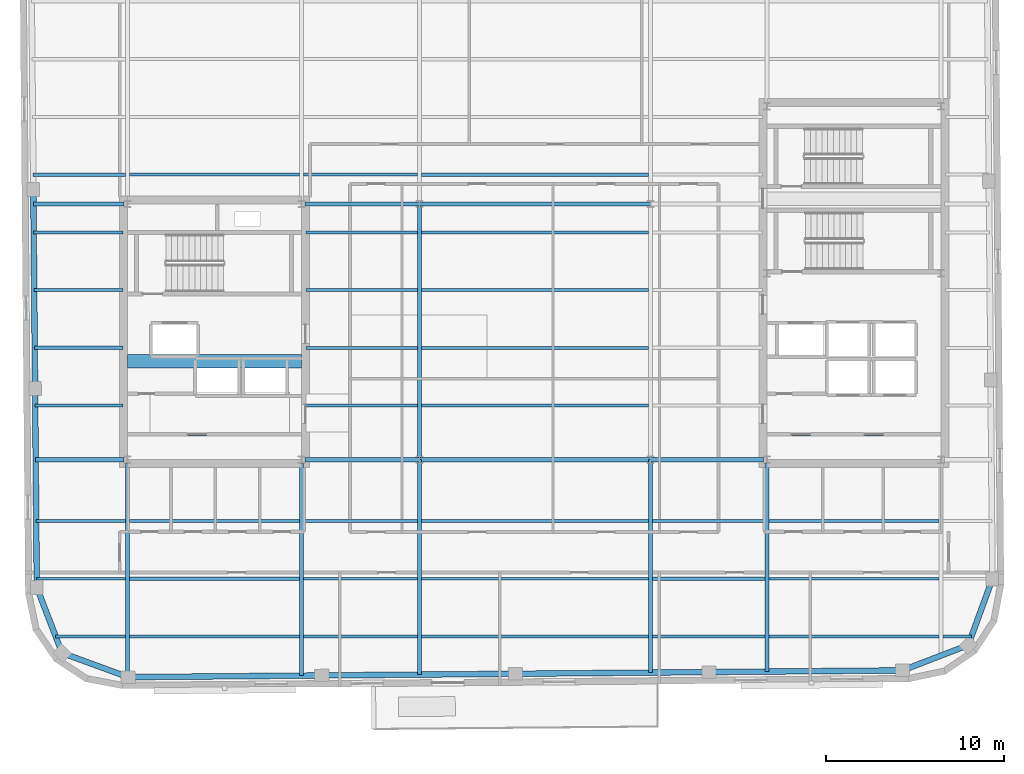
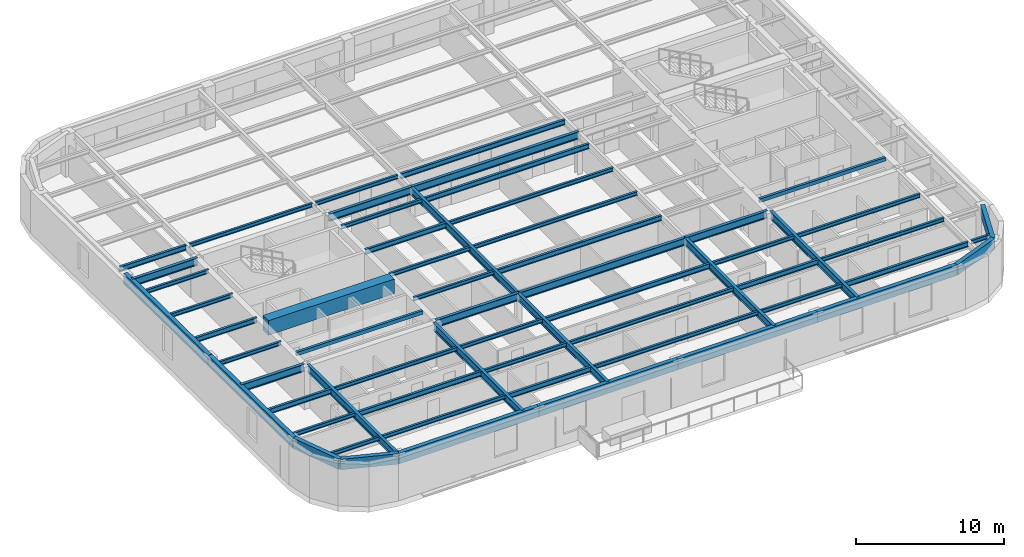
# One storey, part 4 of 14: 61 beams.
"""IFC4 building model written with IfcOpenShell, lengths in metres."""

from ifc_helpers import new_model, si_unit, direction, frame, origin, origin_2d, place, context, subcontext, project, spatial, rectangle, hollow_rectangle, i_section, extrude, material, material_profile, profile_set, type_object, element, save


model = new_model("IFC4")

# Units and contexts
model_context = context("Model", 3, precision=1e-05, world=origin(), true_north=direction((0.0, 1.0)))
body_context = subcontext(model_context, "Body", "Model", "MODEL_VIEW")
ifc_project = project(units=[si_unit("LENGTHUNIT", "METRE"), si_unit("AREAUNIT", "SQUARE_METRE"), si_unit("VOLUMEUNIT", "CUBIC_METRE"), si_unit("PLANEANGLEUNIT", "RADIAN"), si_unit("MASSUNIT", "GRAM", prefix="KILO")], contexts=[model_context])

# Site, building, storey
site_placement = place(None, origin())
site = spatial("IfcSite", under=ifc_project, at=site_placement, CompositionType="ELEMENT")
building_placement = place(site_placement, origin())
building = spatial("IfcBuilding", under=site, at=building_placement, Name="Kolvaren Arena Tower", CompositionType="ELEMENT")
storey_placement = place(building_placement, frame((0.0, 0.0, 274.89990234375)))
storey = spatial("IfcBuildingStorey", under=building, at=storey_placement, Name="L67", CompositionType="ELEMENT", Elevation=274.89990234375)

# Beams
ifc_material_1 = material(Name="Steel CSA G40.21 350W", Category="steel")
ifc_material_profile_1 = material_profile(ifc_material_1, i_section(OverallWidth=0.180908203125, OverallDepth=0.4169921875, WebThickness=0.010986328125, FlangeThickness=0.018310546875, FilletRadius=0.011962890625, at=origin_2d()), Name="W410x85")
ifc_profile_set_1 = profile_set([ifc_material_profile_1], Name="Steel CSA G40.21 350W")
beam_type_1 = type_object("IfcBeamType", Name="BEAM-F3", PredefinedType="BEAM", material=ifc_profile_set_1)
beam_1_placement = place(storey_placement, frame((24.464111328125, 9.5, 3.271484375), z_axis=(1.0, 0.0, 0.0), x_axis=(0.0, 1.0, 0.0)))
element("IfcBeam", 1, at=beam_1_placement, inside=storey, type_object=beam_type_1, Name="Composite Floor Beam (L67)", PredefinedType="BEAM", context=body_context, shape_type="SweptSolid", body=[
    extrude(i_section(OverallWidth=0.180908203125, OverallDepth=0.4169921875, WebThickness=0.010986328125, FlangeThickness=0.018310546875, FilletRadius=0.011962890625, at=origin_2d()), origin(), (0.0, 0.0, 1.0), 6.421875),
])
for number, where, z_axis, x_axis, name in (
    (2, (50.6640625, 9.5, 3.271484375), (1.0, 0.0, 0.0), (0.0, 1.0, 0.0), "Composite Floor Beam (L67)"),
    (3, (14.6640625, 12.75, 3.271484375), (1.0, 0.0, 0.0), (0.0, 1.0, 0.0), "Composite Floor Beam (L67)"),
):
    element("IfcBeam", number, at=place(storey_placement, frame(where, z_axis=z_axis, x_axis=x_axis)), inside=storey, type_object=beam_type_1, Name=name, PredefinedType="BEAM", context=body_context, shape_type="SweptSolid", body=[
        extrude(i_section(OverallWidth=0.180908203125, OverallDepth=0.4169921875, WebThickness=0.010986328125, FlangeThickness=0.018310546875, FilletRadius=0.011962890625, at=origin_2d()), origin(), (0.0, 0.0, 1.0), 9.572021484375),
    ])
beam_2_placement = place(storey_placement, frame((44.114013671875, 12.75, 3.271484375), z_axis=(1.0, 0.0, 0.0), x_axis=(0.0, 1.0, 0.0)))
element("IfcBeam", 4, at=beam_2_placement, inside=storey, type_object=beam_type_1, Name="Composite Floor Beam (L67)", PredefinedType="BEAM", context=body_context, shape_type="SweptSolid", body=[
    extrude(i_section(OverallWidth=0.180908203125, OverallDepth=0.4169921875, WebThickness=0.010986328125, FlangeThickness=0.018310546875, FilletRadius=0.011962890625, at=origin_2d()), origin(), (0.0, 0.0, 1.0), 6.322021484375),
])
beam_3_placement = place(storey_placement, frame((9.4150390625, 16.0, 3.271484375), z_axis=(1.0, 0.0, 0.0), x_axis=(0.0, 1.0, 0.0)))
element("IfcBeam", 5, at=beam_3_placement, inside=storey, type_object=beam_type_1, Name="Composite Floor Beam (L67)", PredefinedType="BEAM", context=body_context, shape_type="SweptSolid", body=[
    extrude(i_section(OverallWidth=0.180908203125, OverallDepth=0.4169921875, WebThickness=0.010986328125, FlangeThickness=0.018310546875, FilletRadius=0.011962890625, at=origin_2d()), origin(), (0.0, 0.0, 1.0), 5.02099609375),
])
for number, where, z_axis, x_axis, name in (
    (6, (31.114013671875, 16.0, 3.271484375), (1.0, 0.0, 0.0), (0.0, 1.0, 0.0), "Composite Floor Beam (L67)"),
    (7, (31.114013671875, 22.5, 3.271484375), (1.0, 0.0, 0.0), (0.0, 1.0, 0.0), "Composite Floor Beam (L67)"),
):
    element("IfcBeam", number, at=place(storey_placement, frame(where, z_axis=z_axis, x_axis=x_axis)), inside=storey, type_object=beam_type_1, Name=name, PredefinedType="BEAM", context=body_context, shape_type="SweptSolid", body=[
        extrude(i_section(OverallWidth=0.180908203125, OverallDepth=0.4169921875, WebThickness=0.010986328125, FlangeThickness=0.018310546875, FilletRadius=0.011962890625, at=origin_2d()), origin(), (0.0, 0.0, 1.0), 12.77197265625),
    ])
beam_4_placement = place(storey_placement, frame((9.330078125, 25.75, 3.271484375), z_axis=(1.0, 0.0, 0.0), x_axis=(0.0, 1.0, 0.0)))
element("IfcBeam", 8, at=beam_4_placement, inside=storey, type_object=beam_type_1, Name="Composite Floor Beam (L67)", PredefinedType="BEAM", context=body_context, shape_type="SweptSolid", body=[
    extrude(i_section(OverallWidth=0.180908203125, OverallDepth=0.4169921875, WebThickness=0.010986328125, FlangeThickness=0.018310546875, FilletRadius=0.011962890625, at=origin_2d()), origin(), (0.0, 0.0, 1.0), 4.974853515625),
])
beam_5_placement = place(storey_placement, frame((24.594970703125, 29.0, 3.271484375), z_axis=(1.0, 0.0, 0.0), x_axis=(0.0, 1.0, 0.0)))
element("IfcBeam", 9, at=beam_5_placement, inside=storey, type_object=beam_type_1, Name="Composite Floor Beam (L67)", PredefinedType="BEAM", context=body_context, shape_type="SweptSolid", body=[
    extrude(i_section(OverallWidth=0.180908203125, OverallDepth=0.4169921875, WebThickness=0.010986328125, FlangeThickness=0.018310546875, FilletRadius=0.011962890625, at=origin_2d()), origin(), (0.0, 0.0, 1.0), 6.291015625),
])
beam_6_placement = place(storey_placement, frame((31.114013671875, 32.25, 3.271484375), z_axis=(1.0, 0.0, 0.0), x_axis=(0.0, 1.0, 0.0)))
element("IfcBeam", 10, at=beam_6_placement, inside=storey, type_object=beam_type_1, Name="Composite Floor Beam (L67)", PredefinedType="BEAM", context=body_context, shape_type="SweptSolid", body=[
    extrude(i_section(OverallWidth=0.180908203125, OverallDepth=0.4169921875, WebThickness=0.010986328125, FlangeThickness=0.018310546875, FilletRadius=0.011962890625, at=origin_2d()), origin(), (0.0, 0.0, 1.0), 12.77197265625),
])
beam_7_placement = place(storey_placement, frame((9.244873046875, 35.5, 3.271484375), z_axis=(1.0, 0.0, 0.0), x_axis=(0.0, 1.0, 0.0)))
element("IfcBeam", 11, at=beam_7_placement, inside=storey, type_object=beam_type_1, Name="Composite Floor Beam (L67)", PredefinedType="BEAM", context=body_context, shape_type="SweptSolid", body=[
    extrude(i_section(OverallWidth=0.180908203125, OverallDepth=0.4169921875, WebThickness=0.010986328125, FlangeThickness=0.018310546875, FilletRadius=0.011962890625, at=origin_2d()), origin(), (0.0, 0.0, 1.0), 5.191162109375),
])
beam_8_placement = place(storey_placement, frame((31.114013671875, 35.5, 3.271484375), z_axis=(1.0, 0.0, 0.0), x_axis=(0.0, 1.0, 0.0)))
element("IfcBeam", 12, at=beam_8_placement, inside=storey, type_object=beam_type_1, Name="Composite Floor Beam (L67)", PredefinedType="BEAM", context=body_context, shape_type="SweptSolid", body=[
    extrude(i_section(OverallWidth=0.180908203125, OverallDepth=0.4169921875, WebThickness=0.010986328125, FlangeThickness=0.018310546875, FilletRadius=0.011962890625, at=origin_2d()), origin(), (0.0, 0.0, 1.0), 12.77197265625),
])
ifc_material_2 = material(Name="Concrete 60 MPa", Category="concrete")
ifc_material_profile_2 = material_profile(ifc_material_2, rectangle(XDim=0.75, YDim=1.199951171875, at=origin_2d()), Name="RC-750x1200")
ifc_profile_set_2 = profile_set([ifc_material_profile_2], Name="Concrete 60 MPa")
beam_type_2 = type_object("IfcBeamType", Name="CB-CORE-2", PredefinedType="BEAM", material=ifc_profile_set_2)
beam_9_placement = place(storey_placement, frame((14.550048828125, 25.0, 3.150146484375), z_axis=(1.0, 0.0, 0.0), x_axis=(0.0, 1.0, 0.0)))
element("IfcBeam", 13, at=beam_9_placement, inside=storey, type_object=beam_type_2, Name="West Core Coupling Beam (L67)", PredefinedType="BEAM", context=body_context, shape_type="SweptSolid", body=[
    extrude(rectangle(XDim=0.75, YDim=1.199951171875, at=origin_2d()), origin(), (0.0, 0.0, 1.0), 9.800048828125),
])
ifc_material_profile_3 = material_profile(ifc_material_1, i_section(OverallWidth=0.22802734375, OverallDepth=0.615966796875, WebThickness=0.013916015625, FlangeThickness=0.02490234375, FilletRadius=0.014892578125, at=origin_2d()), Name="W610x174")
ifc_profile_set_3 = profile_set([ifc_material_profile_3], Name="Steel CSA G40.21 350W")
beam_type_3 = type_object("IfcBeamType", Name="GIRD-T3", PredefinedType="BEAM", material=ifc_profile_set_3)
beam_10_placement = place(storey_placement, frame((9.385009765625, 19.449951171875, 3.172119140625), z_axis=(1.0, 0.0, 0.0), x_axis=(0.0, 1.0, 0.0)))
element("IfcBeam", 14, at=beam_10_placement, inside=storey, type_object=beam_type_3, Name="Primary Floor Girder (L67)", PredefinedType="BEAM", context=body_context, shape_type="SweptSolid", body=[
    extrude(i_section(OverallWidth=0.22802734375, OverallDepth=0.615966796875, WebThickness=0.013916015625, FlangeThickness=0.02490234375, FilletRadius=0.014892578125, at=origin_2d()), origin(), (0.0, 0.0, 1.0), 4.9599609375),
])
beam_11_placement = place(storey_placement, frame((24.554931640625, 19.449951171875, 3.172119140625), z_axis=(1.0, 0.0, 0.0), x_axis=(0.0, 1.0, 0.0)))
element("IfcBeam", 15, at=beam_11_placement, inside=storey, type_object=beam_type_3, Name="Primary Floor Girder (L67)", PredefinedType="BEAM", context=body_context, shape_type="SweptSolid", body=[
    extrude(i_section(OverallWidth=0.22802734375, OverallDepth=0.615966796875, WebThickness=0.013916015625, FlangeThickness=0.02490234375, FilletRadius=0.014892578125, at=origin_2d()), origin(), (0.0, 0.0, 1.0), 6.445068359375),
])
beam_12_placement = place(storey_placement, frame((31.0, 19.449951171875, 3.172119140625), z_axis=(1.0, 0.0, 0.0), x_axis=(0.0, 1.0, 0.0)))
element("IfcBeam", 16, at=beam_12_placement, inside=storey, type_object=beam_type_3, Name="Primary Floor Girder (L67)", PredefinedType="BEAM", context=body_context, shape_type="SweptSolid", body=[
    extrude(i_section(OverallWidth=0.22802734375, OverallDepth=0.615966796875, WebThickness=0.013916015625, FlangeThickness=0.02490234375, FilletRadius=0.014892578125, at=origin_2d()), origin(), (0.0, 0.0, 1.0), 13.0),
])
beam_13_placement = place(storey_placement, frame((44.0, 19.449951171875, 3.172119140625), z_axis=(1.0, 0.0, 0.0), x_axis=(0.0, 1.0, 0.0)))
element("IfcBeam", 17, at=beam_13_placement, inside=storey, type_object=beam_type_3, Name="Primary Floor Girder (L67)", PredefinedType="BEAM", context=body_context, shape_type="SweptSolid", body=[
    extrude(i_section(OverallWidth=0.22802734375, OverallDepth=0.615966796875, WebThickness=0.013916015625, FlangeThickness=0.02490234375, FilletRadius=0.014892578125, at=origin_2d()), origin(), (0.0, 0.0, 1.0), 6.344970703125),
])
beam_14_placement = place(storey_placement, frame((9.25927734375, 33.85009765625, 3.172119140625), z_axis=(1.0, 0.0, 0.0), x_axis=(0.0, 1.0, 0.0)))
element("IfcBeam", 18, at=beam_14_placement, inside=storey, type_object=beam_type_3, Name="Primary Floor Girder (L67)", PredefinedType="BEAM", context=body_context, shape_type="SweptSolid", body=[
    extrude(i_section(OverallWidth=0.22802734375, OverallDepth=0.615966796875, WebThickness=0.013916015625, FlangeThickness=0.02490234375, FilletRadius=0.014892578125, at=origin_2d()), origin(), (0.0, 0.0, 1.0), 5.085693359375),
])
beam_15_placement = place(storey_placement, frame((24.554931640625, 33.85009765625, 3.172119140625), z_axis=(1.0, 0.0, 0.0), x_axis=(0.0, 1.0, 0.0)))
element("IfcBeam", 19, at=beam_15_placement, inside=storey, type_object=beam_type_3, Name="Primary Floor Girder (L67)", PredefinedType="BEAM", context=body_context, shape_type="SweptSolid", body=[
    extrude(i_section(OverallWidth=0.22802734375, OverallDepth=0.615966796875, WebThickness=0.013916015625, FlangeThickness=0.02490234375, FilletRadius=0.014892578125, at=origin_2d()), origin(), (0.0, 0.0, 1.0), 6.445068359375),
])
beam_16_placement = place(storey_placement, frame((31.0, 33.85009765625, 3.172119140625), z_axis=(1.0, 0.0, 0.0), x_axis=(0.0, 1.0, 0.0)))
element("IfcBeam", 20, at=beam_16_placement, inside=storey, type_object=beam_type_3, Name="Primary Floor Girder (L67)", PredefinedType="BEAM", context=body_context, shape_type="SweptSolid", body=[
    extrude(i_section(OverallWidth=0.22802734375, OverallDepth=0.615966796875, WebThickness=0.013916015625, FlangeThickness=0.02490234375, FilletRadius=0.014892578125, at=origin_2d()), origin(), (0.0, 0.0, 1.0), 13.0),
])
beam_17_placement = place(storey_placement, frame((14.550048828125, 7.225830078125, 3.172119140625), z_axis=(0.0, 1.0, 0.0), x_axis=(-1.0, 0.0, 0.0)))
element("IfcBeam", 21, at=beam_17_placement, inside=storey, type_object=beam_type_3, Name="Primary Floor Girder (L67)", PredefinedType="BEAM", context=body_context, shape_type="SweptSolid", body=[
    extrude(i_section(OverallWidth=0.22802734375, OverallDepth=0.615966796875, WebThickness=0.013916015625, FlangeThickness=0.02490234375, FilletRadius=0.014892578125, at=origin_2d()), origin(), (0.0, 0.0, 1.0), 12.019287109375),
])
beam_18_placement = place(storey_placement, frame((24.35009765625, 7.295654296875, 3.172119140625), z_axis=(0.0, 1.0, 0.0), x_axis=(-1.0, 0.0, 0.0)))
element("IfcBeam", 22, at=beam_18_placement, inside=storey, type_object=beam_type_3, Name="Primary Floor Girder (L67)", PredefinedType="BEAM", context=body_context, shape_type="SweptSolid", body=[
    extrude(i_section(OverallWidth=0.22802734375, OverallDepth=0.615966796875, WebThickness=0.013916015625, FlangeThickness=0.02490234375, FilletRadius=0.014892578125, at=origin_2d()), origin(), (0.0, 0.0, 1.0), 11.949462890625),
])
beam_19_placement = place(storey_placement, frame((31.0, 7.353759765625, 3.172119140625), z_axis=(0.0, 1.0, 0.0), x_axis=(-1.0, 0.0, 0.0)))
element("IfcBeam", 23, at=beam_19_placement, inside=storey, type_object=beam_type_3, Name="Primary Floor Girder (L67)", PredefinedType="BEAM", context=body_context, shape_type="SweptSolid", body=[
    extrude(i_section(OverallWidth=0.22802734375, OverallDepth=0.615966796875, WebThickness=0.013916015625, FlangeThickness=0.02490234375, FilletRadius=0.014892578125, at=origin_2d()), origin(), (0.0, 0.0, 1.0), 12.09619140625),
])
beam_20_placement = place(storey_placement, frame((31.0, 19.449951171875, 3.172119140625), z_axis=(0.0, 1.0, 0.0), x_axis=(-1.0, 0.0, 0.0)))
element("IfcBeam", 24, at=beam_20_placement, inside=storey, type_object=beam_type_3, Name="Primary Floor Girder (L67)", PredefinedType="BEAM", context=body_context, shape_type="SweptSolid", body=[
    extrude(i_section(OverallWidth=0.22802734375, OverallDepth=0.615966796875, WebThickness=0.013916015625, FlangeThickness=0.02490234375, FilletRadius=0.014892578125, at=origin_2d()), origin(), (0.0, 0.0, 1.0), 14.400146484375),
])
beam_21_placement = place(storey_placement, frame((44.0, 7.46728515625, 3.172119140625), z_axis=(0.0, 1.0, 0.0), x_axis=(-1.0, 0.0, 0.0)))
element("IfcBeam", 25, at=beam_21_placement, inside=storey, type_object=beam_type_3, Name="Primary Floor Girder (L67)", PredefinedType="BEAM", context=body_context, shape_type="SweptSolid", body=[
    extrude(i_section(OverallWidth=0.22802734375, OverallDepth=0.615966796875, WebThickness=0.013916015625, FlangeThickness=0.02490234375, FilletRadius=0.014892578125, at=origin_2d()), origin(), (0.0, 0.0, 1.0), 11.982666015625),
])
beam_22_placement = place(storey_placement, frame((50.550048828125, 7.5244140625, 3.172119140625), z_axis=(0.0, 1.0, 0.0), x_axis=(-1.0, 0.0, 0.0)))
element("IfcBeam", 26, at=beam_22_placement, inside=storey, type_object=beam_type_3, Name="Primary Floor Girder (L67)", PredefinedType="BEAM", context=body_context, shape_type="SweptSolid", body=[
    extrude(i_section(OverallWidth=0.22802734375, OverallDepth=0.615966796875, WebThickness=0.013916015625, FlangeThickness=0.02490234375, FilletRadius=0.014892578125, at=origin_2d()), origin(), (0.0, 0.0, 1.0), 11.720703125),
])
ifc_material_profile_4 = material_profile(ifc_material_1, i_section(OverallWidth=0.1669921875, OverallDepth=0.31689453125, WebThickness=0.007568359375, FlangeThickness=0.01318359375, FilletRadius=0.010009765625, at=origin_2d()), Name="W310x52")
ifc_profile_set_4 = profile_set([ifc_material_profile_4], Name="Steel CSA G40.21 350W")
beam_type_4 = type_object("IfcBeamType", Name="JOIST-02", PredefinedType="JOIST", material=ifc_profile_set_4)
beam_23_placement = place(storey_placement, frame((10.5126953125, 9.5, 3.321533203125), z_axis=(1.0, 0.0, 0.0), x_axis=(0.0, 1.0, 0.0)))
element("IfcBeam", 27, at=beam_23_placement, inside=storey, type_object=beam_type_4, Name="Composite Floor Joist (L67)", PredefinedType="JOIST", context=body_context, shape_type="SweptSolid", body=[
    extrude(i_section(OverallWidth=0.1669921875, OverallDepth=0.31689453125, WebThickness=0.007568359375, FlangeThickness=0.01318359375, FilletRadius=0.010009765625, at=origin_2d()), origin(), (0.0, 0.0, 1.0), 3.92333984375),
])
beam_24_placement = place(storey_placement, frame((14.6640625, 9.5, 3.321533203125), z_axis=(1.0, 0.0, 0.0), x_axis=(0.0, 1.0, 0.0)))
element("IfcBeam", 28, at=beam_24_placement, inside=storey, type_object=beam_type_4, Name="Composite Floor Joist (L67)", PredefinedType="JOIST", context=body_context, shape_type="SweptSolid", body=[
    extrude(i_section(OverallWidth=0.1669921875, OverallDepth=0.31689453125, WebThickness=0.007568359375, FlangeThickness=0.01318359375, FilletRadius=0.010009765625, at=origin_2d()), origin(), (0.0, 0.0, 1.0), 9.572021484375),
])
beam_25_placement = place(storey_placement, frame((31.114013671875, 9.5, 3.321533203125), z_axis=(1.0, 0.0, 0.0), x_axis=(0.0, 1.0, 0.0)))
element("IfcBeam", 29, at=beam_25_placement, inside=storey, type_object=beam_type_4, Name="Composite Floor Joist (L67)", PredefinedType="JOIST", context=body_context, shape_type="SweptSolid", body=[
    extrude(i_section(OverallWidth=0.1669921875, OverallDepth=0.31689453125, WebThickness=0.007568359375, FlangeThickness=0.01318359375, FilletRadius=0.010009765625, at=origin_2d()), origin(), (0.0, 0.0, 1.0), 12.77197265625),
])
beam_26_placement = place(storey_placement, frame((44.114013671875, 9.5, 3.321533203125), z_axis=(1.0, 0.0, 0.0), x_axis=(0.0, 1.0, 0.0)))
element("IfcBeam", 30, at=beam_26_placement, inside=storey, type_object=beam_type_4, Name="Composite Floor Joist (L67)", PredefinedType="JOIST", context=body_context, shape_type="SweptSolid", body=[
    extrude(i_section(OverallWidth=0.1669921875, OverallDepth=0.31689453125, WebThickness=0.007568359375, FlangeThickness=0.01318359375, FilletRadius=0.010009765625, at=origin_2d()), origin(), (0.0, 0.0, 1.0), 6.322021484375),
])
beam_27_placement = place(storey_placement, frame((60.464111328125, 9.5, 3.321533203125), z_axis=(1.0, 0.0, 0.0), x_axis=(0.0, 1.0, 0.0)))
element("IfcBeam", 31, at=beam_27_placement, inside=storey, type_object=beam_type_4, Name="Composite Floor Joist (L67)", PredefinedType="JOIST", context=body_context, shape_type="SweptSolid", body=[
    extrude(i_section(OverallWidth=0.1669921875, OverallDepth=0.31689453125, WebThickness=0.007568359375, FlangeThickness=0.01318359375, FilletRadius=0.010009765625, at=origin_2d()), origin(), (0.0, 0.0, 1.0), 1.60009765625),
])
beam_28_placement = place(storey_placement, frame((9.443359375, 12.75, 3.321533203125), z_axis=(1.0, 0.0, 0.0), x_axis=(0.0, 1.0, 0.0)))
element("IfcBeam", 32, at=beam_28_placement, inside=storey, type_object=beam_type_4, Name="Composite Floor Joist (L67)", PredefinedType="JOIST", context=body_context, shape_type="SweptSolid", body=[
    extrude(i_section(OverallWidth=0.1669921875, OverallDepth=0.31689453125, WebThickness=0.007568359375, FlangeThickness=0.01318359375, FilletRadius=0.010009765625, at=origin_2d()), origin(), (0.0, 0.0, 1.0), 4.99267578125),
])
beam_29_placement = place(storey_placement, frame((24.464111328125, 12.75, 3.321533203125), z_axis=(1.0, 0.0, 0.0), x_axis=(0.0, 1.0, 0.0)))
element("IfcBeam", 33, at=beam_29_placement, inside=storey, type_object=beam_type_4, Name="Composite Floor Joist (L67)", PredefinedType="JOIST", context=body_context, shape_type="SweptSolid", body=[
    extrude(i_section(OverallWidth=0.1669921875, OverallDepth=0.31689453125, WebThickness=0.007568359375, FlangeThickness=0.01318359375, FilletRadius=0.010009765625, at=origin_2d()), origin(), (0.0, 0.0, 1.0), 6.421875),
])
beam_30_placement = place(storey_placement, frame((31.114013671875, 12.75, 3.321533203125), z_axis=(1.0, 0.0, 0.0), x_axis=(0.0, 1.0, 0.0)))
element("IfcBeam", 34, at=beam_30_placement, inside=storey, type_object=beam_type_4, Name="Composite Floor Joist (L67)", PredefinedType="JOIST", context=body_context, shape_type="SweptSolid", body=[
    extrude(i_section(OverallWidth=0.1669921875, OverallDepth=0.31689453125, WebThickness=0.007568359375, FlangeThickness=0.01318359375, FilletRadius=0.010009765625, at=origin_2d()), origin(), (0.0, 0.0, 1.0), 12.77197265625),
])
for number, where, z_axis, x_axis, name in (
    (35, (50.6640625, 12.75, 3.321533203125), (1.0, 0.0, 0.0), (0.0, 1.0, 0.0), "Composite Floor Joist (L67)"),
    (36, (14.6640625, 16.0, 3.321533203125), (1.0, 0.0, 0.0), (0.0, 1.0, 0.0), "Composite Floor Joist (L67)"),
):
    element("IfcBeam", number, at=place(storey_placement, frame(where, z_axis=z_axis, x_axis=x_axis)), inside=storey, type_object=beam_type_4, Name=name, PredefinedType="JOIST", context=body_context, shape_type="SweptSolid", body=[
        extrude(i_section(OverallWidth=0.1669921875, OverallDepth=0.31689453125, WebThickness=0.007568359375, FlangeThickness=0.01318359375, FilletRadius=0.010009765625, at=origin_2d()), origin(), (0.0, 0.0, 1.0), 9.572021484375),
    ])
beam_31_placement = place(storey_placement, frame((24.464111328125, 16.0, 3.321533203125), z_axis=(1.0, 0.0, 0.0), x_axis=(0.0, 1.0, 0.0)))
element("IfcBeam", 37, at=beam_31_placement, inside=storey, type_object=beam_type_4, Name="Composite Floor Joist (L67)", PredefinedType="JOIST", context=body_context, shape_type="SweptSolid", body=[
    extrude(i_section(OverallWidth=0.1669921875, OverallDepth=0.31689453125, WebThickness=0.007568359375, FlangeThickness=0.01318359375, FilletRadius=0.010009765625, at=origin_2d()), origin(), (0.0, 0.0, 1.0), 6.421875),
])
beam_32_placement = place(storey_placement, frame((44.114013671875, 16.0, 3.321533203125), z_axis=(1.0, 0.0, 0.0), x_axis=(0.0, 1.0, 0.0)))
element("IfcBeam", 38, at=beam_32_placement, inside=storey, type_object=beam_type_4, Name="Composite Floor Joist (L67)", PredefinedType="JOIST", context=body_context, shape_type="SweptSolid", body=[
    extrude(i_section(OverallWidth=0.1669921875, OverallDepth=0.31689453125, WebThickness=0.007568359375, FlangeThickness=0.01318359375, FilletRadius=0.010009765625, at=origin_2d()), origin(), (0.0, 0.0, 1.0), 6.322021484375),
])
beam_33_placement = place(storey_placement, frame((50.6640625, 16.0, 3.321533203125), z_axis=(1.0, 0.0, 0.0), x_axis=(0.0, 1.0, 0.0)))
element("IfcBeam", 39, at=beam_33_placement, inside=storey, type_object=beam_type_4, Name="Composite Floor Joist (L67)", PredefinedType="JOIST", context=body_context, shape_type="SweptSolid", body=[
    extrude(i_section(OverallWidth=0.1669921875, OverallDepth=0.31689453125, WebThickness=0.007568359375, FlangeThickness=0.01318359375, FilletRadius=0.010009765625, at=origin_2d()), origin(), (0.0, 0.0, 1.0), 9.572021484375),
])
beam_34_placement = place(storey_placement, frame((9.3583984375, 22.5, 3.321533203125), z_axis=(1.0, 0.0, 0.0), x_axis=(0.0, 1.0, 0.0)))
element("IfcBeam", 40, at=beam_34_placement, inside=storey, type_object=beam_type_4, Name="Composite Floor Joist (L67)", PredefinedType="JOIST", context=body_context, shape_type="SweptSolid", body=[
    extrude(i_section(OverallWidth=0.1669921875, OverallDepth=0.31689453125, WebThickness=0.007568359375, FlangeThickness=0.01318359375, FilletRadius=0.010009765625, at=origin_2d()), origin(), (0.0, 0.0, 1.0), 4.946533203125),
])
for number, where, z_axis, x_axis, name in (
    (41, (24.594970703125, 22.5, 3.321533203125), (1.0, 0.0, 0.0), (0.0, 1.0, 0.0), "Composite Floor Joist (L67)"),
    (42, (24.594970703125, 25.75, 3.321533203125), (1.0, 0.0, 0.0), (0.0, 1.0, 0.0), "Composite Floor Joist (L67)"),
):
    element("IfcBeam", number, at=place(storey_placement, frame(where, z_axis=z_axis, x_axis=x_axis)), inside=storey, type_object=beam_type_4, Name=name, PredefinedType="JOIST", context=body_context, shape_type="SweptSolid", body=[
        extrude(i_section(OverallWidth=0.1669921875, OverallDepth=0.31689453125, WebThickness=0.007568359375, FlangeThickness=0.01318359375, FilletRadius=0.010009765625, at=origin_2d()), origin(), (0.0, 0.0, 1.0), 6.291015625),
    ])
beam_35_placement = place(storey_placement, frame((31.114013671875, 25.75, 3.321533203125), z_axis=(1.0, 0.0, 0.0), x_axis=(0.0, 1.0, 0.0)))
element("IfcBeam", 43, at=beam_35_placement, inside=storey, type_object=beam_type_4, Name="Composite Floor Joist (L67)", PredefinedType="JOIST", context=body_context, shape_type="SweptSolid", body=[
    extrude(i_section(OverallWidth=0.1669921875, OverallDepth=0.31689453125, WebThickness=0.007568359375, FlangeThickness=0.01318359375, FilletRadius=0.010009765625, at=origin_2d()), origin(), (0.0, 0.0, 1.0), 12.77197265625),
])
beam_36_placement = place(storey_placement, frame((9.301513671875, 29.0, 3.321533203125), z_axis=(1.0, 0.0, 0.0), x_axis=(0.0, 1.0, 0.0)))
element("IfcBeam", 44, at=beam_36_placement, inside=storey, type_object=beam_type_4, Name="Composite Floor Joist (L67)", PredefinedType="JOIST", context=body_context, shape_type="SweptSolid", body=[
    extrude(i_section(OverallWidth=0.1669921875, OverallDepth=0.31689453125, WebThickness=0.007568359375, FlangeThickness=0.01318359375, FilletRadius=0.010009765625, at=origin_2d()), origin(), (0.0, 0.0, 1.0), 5.00341796875),
])
beam_37_placement = place(storey_placement, frame((31.114013671875, 29.0, 3.321533203125), z_axis=(1.0, 0.0, 0.0), x_axis=(0.0, 1.0, 0.0)))
element("IfcBeam", 45, at=beam_37_placement, inside=storey, type_object=beam_type_4, Name="Composite Floor Joist (L67)", PredefinedType="JOIST", context=body_context, shape_type="SweptSolid", body=[
    extrude(i_section(OverallWidth=0.1669921875, OverallDepth=0.31689453125, WebThickness=0.007568359375, FlangeThickness=0.01318359375, FilletRadius=0.010009765625, at=origin_2d()), origin(), (0.0, 0.0, 1.0), 12.77197265625),
])
beam_38_placement = place(storey_placement, frame((9.273193359375, 32.25, 3.321533203125), z_axis=(1.0, 0.0, 0.0), x_axis=(0.0, 1.0, 0.0)))
element("IfcBeam", 46, at=beam_38_placement, inside=storey, type_object=beam_type_4, Name="Composite Floor Joist (L67)", PredefinedType="JOIST", context=body_context, shape_type="SweptSolid", body=[
    extrude(i_section(OverallWidth=0.1669921875, OverallDepth=0.31689453125, WebThickness=0.007568359375, FlangeThickness=0.01318359375, FilletRadius=0.010009765625, at=origin_2d()), origin(), (0.0, 0.0, 1.0), 5.03173828125),
])
beam_39_placement = place(storey_placement, frame((24.594970703125, 32.25, 3.321533203125), z_axis=(1.0, 0.0, 0.0), x_axis=(0.0, 1.0, 0.0)))
element("IfcBeam", 47, at=beam_39_placement, inside=storey, type_object=beam_type_4, Name="Composite Floor Joist (L67)", PredefinedType="JOIST", context=body_context, shape_type="SweptSolid", body=[
    extrude(i_section(OverallWidth=0.1669921875, OverallDepth=0.31689453125, WebThickness=0.007568359375, FlangeThickness=0.01318359375, FilletRadius=0.010009765625, at=origin_2d()), origin(), (0.0, 0.0, 1.0), 6.291015625),
])
beam_40_placement = place(storey_placement, frame((14.6640625, 35.5, 3.321533203125), z_axis=(1.0, 0.0, 0.0), x_axis=(0.0, 1.0, 0.0)))
element("IfcBeam", 48, at=beam_40_placement, inside=storey, type_object=beam_type_4, Name="Composite Floor Joist (L67)", PredefinedType="JOIST", context=body_context, shape_type="SweptSolid", body=[
    extrude(i_section(OverallWidth=0.1669921875, OverallDepth=0.31689453125, WebThickness=0.007568359375, FlangeThickness=0.01318359375, FilletRadius=0.010009765625, at=origin_2d()), origin(), (0.0, 0.0, 1.0), 9.572021484375),
])
beam_41_placement = place(storey_placement, frame((24.464111328125, 35.5, 3.321533203125), z_axis=(1.0, 0.0, 0.0), x_axis=(0.0, 1.0, 0.0)))
element("IfcBeam", 49, at=beam_41_placement, inside=storey, type_object=beam_type_4, Name="Composite Floor Joist (L67)", PredefinedType="JOIST", context=body_context, shape_type="SweptSolid", body=[
    extrude(i_section(OverallWidth=0.1669921875, OverallDepth=0.31689453125, WebThickness=0.007568359375, FlangeThickness=0.01318359375, FilletRadius=0.010009765625, at=origin_2d()), origin(), (0.0, 0.0, 1.0), 6.421875),
])
ifc_material_profile_5 = material_profile(ifc_material_1, hollow_rectangle(XDim=0.199951171875, YDim=0.300048828125, WallThickness=0.011962890625, at=origin_2d()), Name="HSS 300x200x12")
ifc_profile_set_5 = profile_set([ifc_material_profile_5], Name="Steel CSA G40.21 350W")
beam_type_5 = type_object("IfcBeamType", Name="LINT-01", PredefinedType="LINTEL", material=ifc_profile_set_5)
for number, where, z_axis, x_axis, name in (
    (50, (14.550048828125, 20.8798828125, 3.330078125), (1.0, 0.0, 0.0), (0.0, 1.0, 0.0), "West Lift Lobby Portal Lintel (L67)"),
    (51, (50.550048828125, 20.8798828125, 3.330078125), (1.0, 0.0, 0.0), (0.0, 1.0, 0.0), "East Lift Lobby Portal Lintel (L67)"),
):
    element("IfcBeam", number, at=place(storey_placement, frame(where, z_axis=z_axis, x_axis=x_axis)), inside=storey, type_object=beam_type_5, Name=name, PredefinedType="LINTEL", context=body_context, shape_type="SweptSolid", body=[
        extrude(hollow_rectangle(XDim=0.199951171875, YDim=0.300048828125, WallThickness=0.011962890625, at=origin_2d()), origin(), (0.0, 0.0, 1.0), 9.800048828125),
    ])
ifc_material_3 = material(Name="Steel CSA G40.21 350WT", Category="steel")
ifc_material_profile_6 = material_profile(ifc_material_3, hollow_rectangle(XDim=0.320068359375, YDim=0.860107421875, WallThickness=0.01806640625, at=origin_2d()), Name="HSS 860x320x18")
ifc_profile_set_6 = profile_set([ifc_material_profile_6], Name="Steel CSA G40.21 350WT")
beam_type_6 = type_object("IfcBeamType", Name="SPAND-02", PredefinedType="SPANDREL", material=ifc_profile_set_6)
for number, where, z_axis, x_axis, name in (
    (52, (14.591796875, 7.210693359375, 3.050048828125), (0.999962042393, 0.008712851036, 0.0), (-0.008712851036, 0.999962042393, 0.0), "Perimeter Spandrel Beam (L67)"),
    (53, (25.491455078125, 7.3056640625, 3.050048828125), (0.999961846999, 0.008735247404, 0.0), (-0.008735247404, 0.999961846999, 0.0), "Perimeter Spandrel Beam (L67)"),
    (54, (36.39111328125, 7.40087890625, 3.050048828125), (0.999961846999, 0.008735247404, 0.0), (-0.008735247404, 0.999961846999, 0.0), "Perimeter Spandrel Beam (L67)"),
):
    element("IfcBeam", number, at=place(storey_placement, frame(where, z_axis=z_axis, x_axis=x_axis)), inside=storey, type_object=beam_type_6, Name=name, PredefinedType="SPANDREL", context=body_context, shape_type="SweptSolid", body=[
        extrude(hollow_rectangle(XDim=0.320068359375, YDim=0.860107421875, WallThickness=0.01806640625, at=origin_2d()), origin(), (0.0, 0.0, 1.0), 10.900146484375),
    ])
beam_42_placement = place(storey_placement, frame((47.290771484375, 7.49609375, 3.050048828125), z_axis=(0.999962040693, 0.008713046184, 0.0), x_axis=(-0.008713046184, 0.999962040693, 0.0)))
element("IfcBeam", 55, at=beam_42_placement, inside=storey, type_object=beam_type_6, Name="Perimeter Spandrel Beam (L67)", PredefinedType="SPANDREL", context=body_context, shape_type="SweptSolid", body=[
    extrude(hollow_rectangle(XDim=0.320068359375, YDim=0.860107421875, WallThickness=0.01806640625, at=origin_2d()), origin(), (0.0, 0.0, 1.0), 10.89990234375),
])
for number, where, z_axis, x_axis, name in (
    (56, (58.190185546875, 7.591064453125, 3.050048828125), (0.933189846698, 0.359383792094, 0.0), (-0.359383792094, 0.933189846698, 0.0), "Perimeter Spandrel Beam (L67)"),
    (57, (61.88671875, 9.0146484375, 3.050048828125), (0.343059102458, 0.939313819882, 0.0), (-0.939313819882, 0.343059102458, 0.0), "Perimeter Spandrel Beam (L67)"),
):
    element("IfcBeam", number, at=place(storey_placement, frame(where, z_axis=z_axis, x_axis=x_axis)), inside=storey, type_object=beam_type_6, Name=name, PredefinedType="SPANDREL", context=body_context, shape_type="SweptSolid", body=[
        extrude(hollow_rectangle(XDim=0.320068359375, YDim=0.860107421875, WallThickness=0.01806640625, at=origin_2d()), origin(), (0.0, 0.0, 1.0), 3.961181640625),
    ])
beam_43_placement = place(storey_placement, frame((9.252197265625, 34.6650390625, 3.050048828125), z_axis=(0.008719394723, -0.999961985355, 0.0), x_axis=(0.999961985355, 0.008719394723, 0.0)))
element("IfcBeam", 58, at=beam_43_placement, inside=storey, type_object=beam_type_6, Name="Perimeter Spandrel Beam (L67)", PredefinedType="SPANDREL", context=body_context, shape_type="SweptSolid", body=[
    extrude(hollow_rectangle(XDim=0.320068359375, YDim=0.860107421875, WallThickness=0.01806640625, at=origin_2d()), origin(), (0.0, 0.0, 1.0), 11.199951171875),
])
beam_44_placement = place(storey_placement, frame((9.349853515625, 23.465576171875, 3.050048828125), z_axis=(0.008719204665, -0.999961987013, 0.0), x_axis=(0.999961987013, 0.008719204665, 0.0)))
element("IfcBeam", 59, at=beam_44_placement, inside=storey, type_object=beam_type_6, Name="Perimeter Spandrel Beam (L67)", PredefinedType="SPANDREL", context=body_context, shape_type="SweptSolid", body=[
    extrude(hollow_rectangle(XDim=0.320068359375, YDim=0.860107421875, WallThickness=0.01806640625, at=origin_2d()), origin(), (0.0, 0.0, 1.0), 11.2001953125),
])
beam_45_placement = place(storey_placement, frame((9.447509765625, 12.265869140625, 3.050048828125), z_axis=(0.359383792094, -0.933189846698, 0.0), x_axis=(0.933189846698, 0.359383792094, 0.0)))
element("IfcBeam", 60, at=beam_45_placement, inside=storey, type_object=beam_type_6, Name="Perimeter Spandrel Beam (L67)", PredefinedType="SPANDREL", context=body_context, shape_type="SweptSolid", body=[
    extrude(hollow_rectangle(XDim=0.320068359375, YDim=0.860107421875, WallThickness=0.01806640625, at=origin_2d()), origin(), (0.0, 0.0, 1.0), 3.961181640625),
])
beam_46_placement = place(storey_placement, frame((10.87109375, 8.5693359375, 3.050048828125), z_axis=(0.939333679924, -0.343004719736, 0.0), x_axis=(0.343004719736, 0.939333679924, 0.0)))
element("IfcBeam", 61, at=beam_46_placement, inside=storey, type_object=beam_type_6, Name="Perimeter Spandrel Beam (L67)", PredefinedType="SPANDREL", context=body_context, shape_type="SweptSolid", body=[
    extrude(hollow_rectangle(XDim=0.320068359375, YDim=0.860107421875, WallThickness=0.01806640625, at=origin_2d()), origin(), (0.0, 0.0, 1.0), 3.9609375),
])

save(model, "model.ifc")
